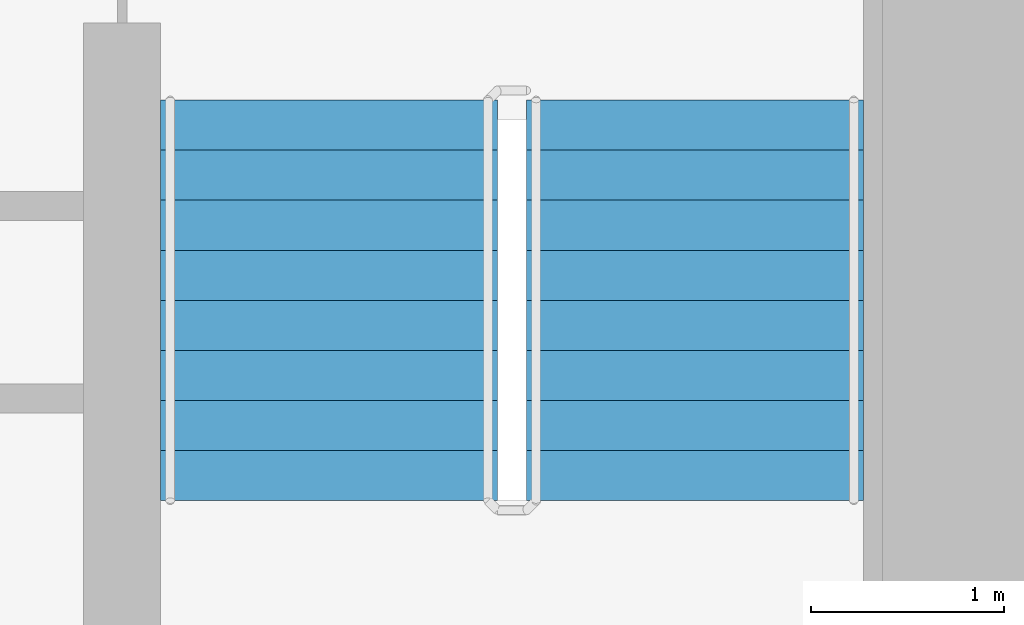
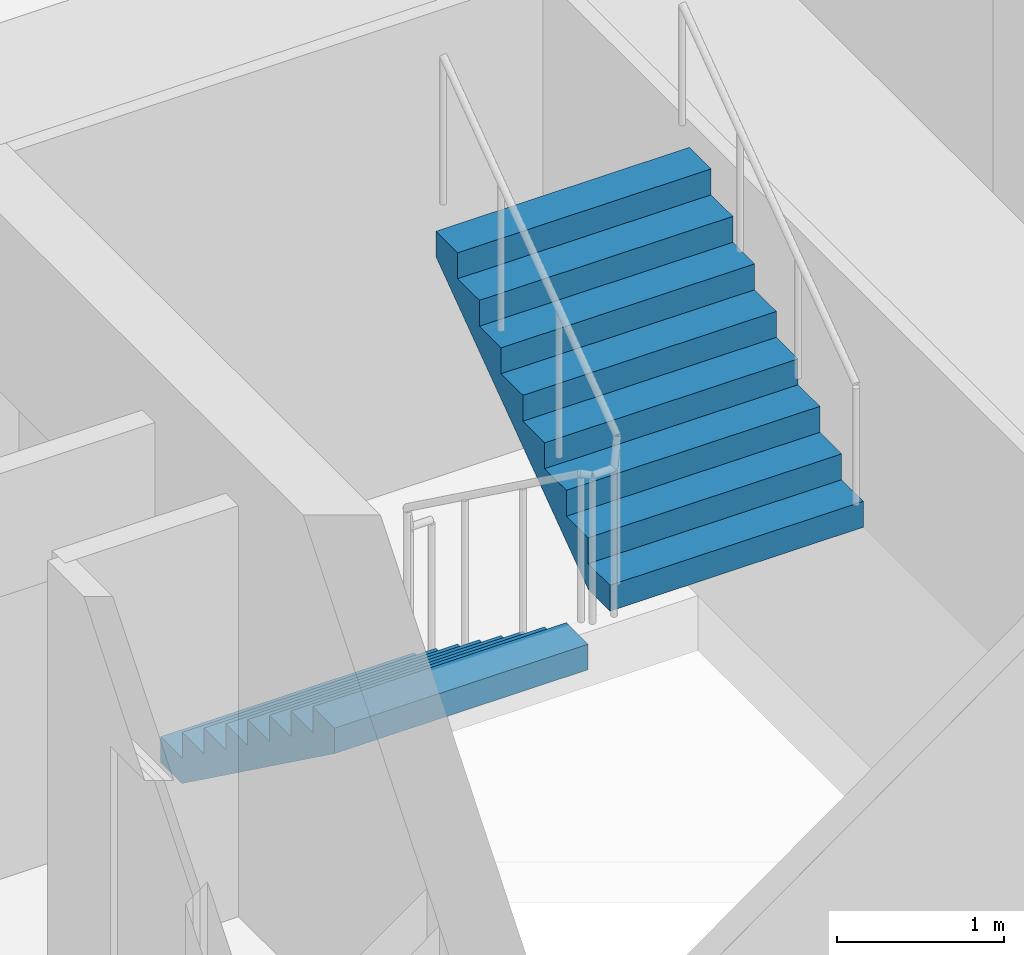
# One storey, part 34 of 40: 2 stair flights, 1 element without a shape of its own.
"""IFC4 building model written with IfcOpenShell, lengths in metres."""

from ifc_helpers import new_model, si_unit, direction, frame, origin, place, context, subcontext, project, spatial, faceted_brep, material, type_object, element, aggregate, save


model = new_model("IFC4")

# Units and contexts
model_context = context("Model", 3, precision=1e-05, world=origin(), true_north=direction((0.0, 1.0)))
body_context = subcontext(model_context, "Body", "Model", "MODEL_VIEW")
ifc_project = project(units=[si_unit("LENGTHUNIT", "METRE"), si_unit("AREAUNIT", "SQUARE_METRE"), si_unit("VOLUMEUNIT", "CUBIC_METRE"), si_unit("PLANEANGLEUNIT", "RADIAN"), si_unit("MASSUNIT", "GRAM", prefix="KILO")], contexts=[model_context])

# Site, building, storey
site_placement = place(None, origin())
site = spatial("IfcSite", under=ifc_project, at=site_placement, CompositionType="ELEMENT")
building_placement = place(site_placement, origin())
building = spatial("IfcBuilding", under=site, at=building_placement, Name="Ipe Terrace Towers", CompositionType="ELEMENT")
storey_placement = place(building_placement, frame((0.0, 0.0, 24.5)))
storey = spatial("IfcBuildingStorey", under=building, at=storey_placement, Name="L05", CompositionType="ELEMENT", Elevation=24.5)

# Stair, stair flights
ifc_material_1 = material(Name="Concrete C30/37", Category="concrete")
stair_type = type_object("IfcStairType", Name="Protected exit stair", PredefinedType="HALF_TURN_STAIR", material=ifc_material_1)
stair_placement = place(storey_placement, origin())
stair = element("IfcStair", 1, at=stair_placement, inside=storey, type_object=stair_type, Name="L05 Exit stair T2-C2", PredefinedType="HALF_TURN_STAIR")
ifc_material_2 = material(Name="Concrete C30/37", Category="concrete")
stair_flight_type = type_object("IfcStairFlightType", Name="Exit stair flight 1750", PredefinedType="STRAIGHT", material=ifc_material_2)
stair_flight_1_placement = place(storey_placement, frame((38.77490234375, -9.699951171875, 0.0), z_axis=(0.0, 0.0, 1.0), x_axis=(0.0, -1.0, 0.0)))
stair_flight_1 = element("IfcStairFlight", 2, at=stair_flight_1_placement, type_object=stair_flight_type, Name="T2-ST2 flight 1", NumberOfRisers=9, NumberOfTreads=8, PredefinedType="STRAIGHT", RiserHeight=0.188888889, TreadLength=0.26, context=body_context, shape_type="Brep", body=[
    faceted_brep([(0.255126953125, -0.875, 0.0), (2.080078125, -0.875, 1.325927734375), (2.080078125, -0.875, 1.51123046875), (1.820068359375, -0.875, 1.51123046875), (1.820068359375, -0.875, 1.322265625), (1.56005859375, -0.875, 1.322265625), (1.56005859375, -0.875, 1.13330078125), (1.300048828125, -0.875, 1.13330078125), (1.300048828125, -0.875, 0.9443359375), (1.0400390625, -0.875, 0.9443359375), (1.0400390625, -0.875, 0.755615234375), (0.780029296875, -0.875, 0.755615234375), (0.780029296875, -0.875, 0.566650390625), (0.52001953125, -0.875, 0.566650390625), (0.52001953125, -0.875, 0.377685546875), (0.260009765625, -0.875, 0.377685546875), (0.260009765625, -0.875, 0.18896484375), (0.0, -0.875, 0.18896484375), (0.0, -0.875, 0.0), (0.0, 0.875, 0.0), (0.0, 0.875, 0.18896484375), (0.260009765625, 0.875, 0.18896484375), (0.260009765625, 0.875, 0.377685546875), (0.52001953125, 0.875, 0.377685546875), (0.52001953125, 0.875, 0.566650390625), (0.780029296875, 0.875, 0.566650390625), (0.780029296875, 0.875, 0.755615234375), (1.0400390625, 0.875, 0.755615234375), (1.0400390625, 0.875, 0.9443359375), (1.300048828125, 0.875, 0.9443359375), (1.300048828125, 0.875, 1.13330078125), (1.56005859375, 0.875, 1.13330078125), (1.56005859375, 0.875, 1.322265625), (1.820068359375, 0.875, 1.322265625), (1.820068359375, 0.875, 1.51123046875), (2.080078125, 0.875, 1.51123046875), (2.080078125, 0.875, 1.325927734375), (0.255126953125, 0.875, 0.0), (0.0, -0.300048828125, 0.18896484375), (0.0, -0.1201171875, 0.18896484375), (0.0, -0.06005859375, 0.18896484375), (0.0, -0.030029296875, 0.18896484375), (0.0, -0.010009765625, 0.18896484375), (0.0, 0.0, 0.18896484375), (0.0, 0.010009765625, 0.18896484375), (0.0, 0.030029296875, 0.18896484375), (0.0, 0.06005859375, 0.18896484375), (0.0, 0.1201171875, 0.18896484375), (0.0, 0.300048828125, 0.18896484375), (0.0, 0.300048828125, 0.0), (0.0, 0.1201171875, 0.0), (0.0, 0.06005859375, 0.0), (0.0, 0.030029296875, 0.0), (0.0, 0.010009765625, 0.0), (0.0, 0.0, 0.0), (0.0, -0.010009765625, 0.0), (0.0, -0.030029296875, 0.0), (0.0, -0.06005859375, 0.0), (0.0, -0.1201171875, 0.0), (0.0, -0.300048828125, 0.0), (0.260009765625, -0.300048828125, 0.18896484375), (0.260009765625, -0.1201171875, 0.18896484375), (0.260009765625, -0.06005859375, 0.18896484375), (0.260009765625, -0.030029296875, 0.18896484375), (0.260009765625, -0.010009765625, 0.18896484375), (0.260009765625, 0.0, 0.18896484375), (0.260009765625, 0.010009765625, 0.18896484375), (0.260009765625, 0.030029296875, 0.18896484375), (0.260009765625, 0.06005859375, 0.18896484375), (0.260009765625, 0.1201171875, 0.18896484375), (0.260009765625, 0.300048828125, 0.18896484375), (0.260009765625, -0.300048828125, 0.377685546875), (0.260009765625, -0.1201171875, 0.377685546875), (0.260009765625, -0.06005859375, 0.377685546875), (0.260009765625, -0.030029296875, 0.377685546875), (0.260009765625, -0.010009765625, 0.377685546875), (0.260009765625, 0.0, 0.377685546875), (0.260009765625, 0.010009765625, 0.377685546875), (0.260009765625, 0.030029296875, 0.377685546875), (0.260009765625, 0.06005859375, 0.377685546875), (0.260009765625, 0.1201171875, 0.377685546875), (0.260009765625, 0.300048828125, 0.377685546875), (0.52001953125, -0.300048828125, 0.377685546875), (0.52001953125, -0.1201171875, 0.377685546875), (0.52001953125, -0.06005859375, 0.377685546875), (0.52001953125, -0.030029296875, 0.377685546875), (0.52001953125, -0.010009765625, 0.377685546875), (0.52001953125, 0.0, 0.377685546875), (0.52001953125, 0.010009765625, 0.377685546875), (0.52001953125, 0.030029296875, 0.377685546875), (0.52001953125, 0.06005859375, 0.377685546875), (0.52001953125, 0.1201171875, 0.377685546875), (0.52001953125, 0.300048828125, 0.377685546875), (0.52001953125, -0.300048828125, 0.566650390625), (0.52001953125, -0.1201171875, 0.566650390625), (0.52001953125, -0.06005859375, 0.566650390625), (0.52001953125, -0.030029296875, 0.566650390625), (0.52001953125, -0.010009765625, 0.566650390625), (0.52001953125, 0.0, 0.566650390625), (0.52001953125, 0.010009765625, 0.566650390625), (0.52001953125, 0.030029296875, 0.566650390625), (0.52001953125, 0.06005859375, 0.566650390625), (0.52001953125, 0.1201171875, 0.566650390625), (0.52001953125, 0.300048828125, 0.566650390625), (0.780029296875, -0.300048828125, 0.566650390625), (0.780029296875, -0.1201171875, 0.566650390625), (0.780029296875, -0.06005859375, 0.566650390625), (0.780029296875, -0.030029296875, 0.566650390625), (0.780029296875, -0.010009765625, 0.566650390625), (0.780029296875, 0.0, 0.566650390625), (0.780029296875, 0.010009765625, 0.566650390625), (0.780029296875, 0.030029296875, 0.566650390625), (0.780029296875, 0.06005859375, 0.566650390625), (0.780029296875, 0.1201171875, 0.566650390625), (0.780029296875, 0.300048828125, 0.566650390625), (0.780029296875, -0.300048828125, 0.755615234375), (0.780029296875, -0.1201171875, 0.755615234375), (0.780029296875, -0.06005859375, 0.755615234375), (0.780029296875, -0.030029296875, 0.755615234375), (0.780029296875, -0.010009765625, 0.755615234375), (0.780029296875, 0.0, 0.755615234375), (0.780029296875, 0.010009765625, 0.755615234375), (0.780029296875, 0.030029296875, 0.755615234375), (0.780029296875, 0.06005859375, 0.755615234375), (0.780029296875, 0.1201171875, 0.755615234375), (0.780029296875, 0.300048828125, 0.755615234375), (1.0400390625, -0.300048828125, 0.755615234375), (1.0400390625, -0.1201171875, 0.755615234375), (1.0400390625, -0.06005859375, 0.755615234375), (1.0400390625, -0.030029296875, 0.755615234375), (1.0400390625, -0.010009765625, 0.755615234375), (1.0400390625, 0.0, 0.755615234375), (1.0400390625, 0.010009765625, 0.755615234375), (1.0400390625, 0.030029296875, 0.755615234375), (1.0400390625, 0.06005859375, 0.755615234375), (1.0400390625, 0.1201171875, 0.755615234375), (1.0400390625, 0.300048828125, 0.755615234375), (1.0400390625, -0.300048828125, 0.9443359375), (1.0400390625, -0.1201171875, 0.9443359375), (1.0400390625, -0.06005859375, 0.9443359375), (1.0400390625, -0.030029296875, 0.9443359375), (1.0400390625, -0.010009765625, 0.9443359375), (1.0400390625, 0.0, 0.9443359375), (1.0400390625, 0.010009765625, 0.9443359375), (1.0400390625, 0.030029296875, 0.9443359375), (1.0400390625, 0.06005859375, 0.9443359375), (1.0400390625, 0.1201171875, 0.9443359375), (1.0400390625, 0.300048828125, 0.9443359375), (1.300048828125, -0.300048828125, 0.9443359375), (1.300048828125, -0.1201171875, 0.9443359375), (1.300048828125, -0.06005859375, 0.9443359375), (1.300048828125, -0.030029296875, 0.9443359375), (1.300048828125, -0.010009765625, 0.9443359375), (1.300048828125, 0.0, 0.9443359375), (1.300048828125, 0.010009765625, 0.9443359375), (1.300048828125, 0.030029296875, 0.9443359375), (1.300048828125, 0.06005859375, 0.9443359375), (1.300048828125, 0.1201171875, 0.9443359375), (1.300048828125, 0.300048828125, 0.9443359375), (1.300048828125, -0.300048828125, 1.13330078125), (1.300048828125, -0.1201171875, 1.13330078125), (1.300048828125, -0.06005859375, 1.13330078125), (1.300048828125, -0.030029296875, 1.13330078125), (1.300048828125, -0.010009765625, 1.13330078125), (1.300048828125, 0.0, 1.13330078125), (1.300048828125, 0.010009765625, 1.13330078125), (1.300048828125, 0.030029296875, 1.13330078125), (1.300048828125, 0.06005859375, 1.13330078125), (1.300048828125, 0.1201171875, 1.13330078125), (1.300048828125, 0.300048828125, 1.13330078125), (1.56005859375, -0.300048828125, 1.13330078125), (1.56005859375, -0.1201171875, 1.13330078125), (1.56005859375, -0.06005859375, 1.13330078125), (1.56005859375, -0.030029296875, 1.13330078125), (1.56005859375, -0.010009765625, 1.13330078125), (1.56005859375, 0.0, 1.13330078125), (1.56005859375, 0.010009765625, 1.13330078125), (1.56005859375, 0.030029296875, 1.13330078125), (1.56005859375, 0.06005859375, 1.13330078125), (1.56005859375, 0.1201171875, 1.13330078125), (1.56005859375, 0.300048828125, 1.13330078125), (1.56005859375, -0.300048828125, 1.322265625), (1.56005859375, -0.1201171875, 1.322265625), (1.56005859375, -0.06005859375, 1.322265625), (1.56005859375, -0.030029296875, 1.322265625), (1.56005859375, -0.010009765625, 1.322265625), (1.56005859375, 0.0, 1.322265625), (1.56005859375, 0.010009765625, 1.322265625), (1.56005859375, 0.030029296875, 1.322265625), (1.56005859375, 0.06005859375, 1.322265625), (1.56005859375, 0.1201171875, 1.322265625), (1.56005859375, 0.300048828125, 1.322265625), (1.820068359375, -0.300048828125, 1.322265625), (1.820068359375, -0.1201171875, 1.322265625), (1.820068359375, -0.06005859375, 1.322265625), (1.820068359375, -0.030029296875, 1.322265625), (1.820068359375, -0.010009765625, 1.322265625), (1.820068359375, 0.0, 1.322265625), (1.820068359375, 0.010009765625, 1.322265625), (1.820068359375, 0.030029296875, 1.322265625), (1.820068359375, 0.06005859375, 1.322265625), (1.820068359375, 0.1201171875, 1.322265625), (1.820068359375, 0.300048828125, 1.322265625), (1.820068359375, -0.300048828125, 1.51123046875), (1.820068359375, -0.1201171875, 1.51123046875), (1.820068359375, -0.06005859375, 1.51123046875), (1.820068359375, -0.030029296875, 1.51123046875), (1.820068359375, -0.010009765625, 1.51123046875), (1.820068359375, 0.0, 1.51123046875), (1.820068359375, 0.010009765625, 1.51123046875), (1.820068359375, 0.030029296875, 1.51123046875), (1.820068359375, 0.06005859375, 1.51123046875), (1.820068359375, 0.1201171875, 1.51123046875), (1.820068359375, 0.300048828125, 1.51123046875), (2.080078125, -0.300048828125, 1.51123046875), (2.080078125, -0.1201171875, 1.51123046875), (2.080078125, -0.06005859375, 1.51123046875), (2.080078125, -0.030029296875, 1.51123046875), (2.080078125, -0.010009765625, 1.51123046875), (2.080078125, 0.0, 1.51123046875), (2.080078125, 0.010009765625, 1.51123046875), (2.080078125, 0.030029296875, 1.51123046875), (2.080078125, 0.06005859375, 1.51123046875), (2.080078125, 0.1201171875, 1.51123046875), (2.080078125, 0.300048828125, 1.51123046875), (2.080078125, -0.300048828125, 1.325927734375), (2.080078125, -0.1201171875, 1.325927734375), (2.080078125, -0.06005859375, 1.325927734375), (2.080078125, -0.030029296875, 1.325927734375), (2.080078125, -0.010009765625, 1.325927734375), (2.080078125, 0.0, 1.325927734375), (2.080078125, 0.010009765625, 1.325927734375), (2.080078125, 0.030029296875, 1.325927734375), (2.080078125, 0.06005859375, 1.325927734375), (2.080078125, 0.1201171875, 1.325927734375), (2.080078125, 0.300048828125, 1.325927734375), (0.255126953125, -0.300048828125, 0.0), (0.255126953125, -0.1201171875, 0.0), (0.255126953125, -0.06005859375, 0.0), (0.255126953125, -0.030029296875, 0.0), (0.255126953125, -0.010009765625, 0.0), (0.255126953125, 0.0, 0.0), (0.255126953125, 0.010009765625, 0.0), (0.255126953125, 0.030029296875, 0.0), (0.255126953125, 0.06005859375, 0.0), (0.255126953125, 0.1201171875, 0.0), (0.255126953125, 0.300048828125, 0.0)], [[[0, 1, 2, 3, 4, 5, 6, 7, 8, 9, 10, 11, 12, 13, 14, 15, 16, 17, 18]], [[19, 20, 21, 22, 23, 24, 25, 26, 27, 28, 29, 30, 31, 32, 33, 34, 35, 36, 37]], [[17, 38, 39, 40, 41, 42, 43, 44, 45, 46, 47, 48, 20, 19, 49, 50, 51, 52, 53, 54, 55, 56, 57, 58, 59, 18]], [[16, 60, 61, 62, 63, 64, 65, 66, 67, 68, 69, 70, 21, 20, 48, 47, 46, 45, 44, 43, 42, 41, 40, 39, 38, 17]], [[15, 71, 72, 73, 74, 75, 76, 77, 78, 79, 80, 81, 22, 21, 70, 69, 68, 67, 66, 65, 64, 63, 62, 61, 60, 16]], [[14, 82, 83, 84, 85, 86, 87, 88, 89, 90, 91, 92, 23, 22, 81, 80, 79, 78, 77, 76, 75, 74, 73, 72, 71, 15]], [[13, 93, 94, 95, 96, 97, 98, 99, 100, 101, 102, 103, 24, 23, 92, 91, 90, 89, 88, 87, 86, 85, 84, 83, 82, 14]], [[12, 104, 105, 106, 107, 108, 109, 110, 111, 112, 113, 114, 25, 24, 103, 102, 101, 100, 99, 98, 97, 96, 95, 94, 93, 13]], [[11, 115, 116, 117, 118, 119, 120, 121, 122, 123, 124, 125, 26, 25, 114, 113, 112, 111, 110, 109, 108, 107, 106, 105, 104, 12]], [[10, 126, 127, 128, 129, 130, 131, 132, 133, 134, 135, 136, 27, 26, 125, 124, 123, 122, 121, 120, 119, 118, 117, 116, 115, 11]], [[9, 137, 138, 139, 140, 141, 142, 143, 144, 145, 146, 147, 28, 27, 136, 135, 134, 133, 132, 131, 130, 129, 128, 127, 126, 10]], [[8, 148, 149, 150, 151, 152, 153, 154, 155, 156, 157, 158, 29, 28, 147, 146, 145, 144, 143, 142, 141, 140, 139, 138, 137, 9]], [[7, 159, 160, 161, 162, 163, 164, 165, 166, 167, 168, 169, 30, 29, 158, 157, 156, 155, 154, 153, 152, 151, 150, 149, 148, 8]], [[6, 170, 171, 172, 173, 174, 175, 176, 177, 178, 179, 180, 31, 30, 169, 168, 167, 166, 165, 164, 163, 162, 161, 160, 159, 7]], [[5, 181, 182, 183, 184, 185, 186, 187, 188, 189, 190, 191, 32, 31, 180, 179, 178, 177, 176, 175, 174, 173, 172, 171, 170, 6]], [[4, 192, 193, 194, 195, 196, 197, 198, 199, 200, 201, 202, 33, 32, 191, 190, 189, 188, 187, 186, 185, 184, 183, 182, 181, 5]], [[3, 203, 204, 205, 206, 207, 208, 209, 210, 211, 212, 213, 34, 33, 202, 201, 200, 199, 198, 197, 196, 195, 194, 193, 192, 4]], [[2, 214, 215, 216, 217, 218, 219, 220, 221, 222, 223, 224, 35, 34, 213, 212, 211, 210, 209, 208, 207, 206, 205, 204, 203, 3]], [[1, 225, 226, 227, 228, 229, 230, 231, 232, 233, 234, 235, 36, 35, 224, 223, 222, 221, 220, 219, 218, 217, 216, 215, 214, 2]], [[0, 236, 237, 238, 239, 240, 241, 242, 243, 244, 245, 246, 37, 36, 235, 234, 233, 232, 231, 230, 229, 228, 227, 226, 225, 1]], [[18, 59, 58, 57, 56, 55, 54, 53, 52, 51, 50, 49, 19, 37, 246, 245, 244, 243, 242, 241, 240, 239, 238, 237, 236, 0]]]),
])
stair_flight_2_placement = place(storey_placement, frame((40.675048828125, -11.780029296875, 1.699951171875), z_axis=(0.0, 0.0, 1.0), x_axis=(0.0, 1.0, 0.0)))
stair_flight_2 = element("IfcStairFlight", 3, at=stair_flight_2_placement, type_object=stair_flight_type, Name="T2-ST2 flight 2", NumberOfRisers=9, NumberOfTreads=8, PredefinedType="STRAIGHT", RiserHeight=0.188888889, TreadLength=0.26, context=body_context, shape_type="Brep", body=[
    faceted_brep([(0.255126953125, -0.875, 0.0), (2.080078125, -0.875, 1.325927734375), (2.080078125, -0.875, 1.51123046875), (1.820068359375, -0.875, 1.51123046875), (1.820068359375, -0.875, 1.322265625), (1.56005859375, -0.875, 1.322265625), (1.56005859375, -0.875, 1.13330078125), (1.300048828125, -0.875, 1.13330078125), (1.300048828125, -0.875, 0.9443359375), (1.0400390625, -0.875, 0.9443359375), (1.0400390625, -0.875, 0.755615234375), (0.780029296875, -0.875, 0.755615234375), (0.780029296875, -0.875, 0.566650390625), (0.52001953125, -0.875, 0.566650390625), (0.52001953125, -0.875, 0.377685546875), (0.260009765625, -0.875, 0.377685546875), (0.260009765625, -0.875, 0.18896484375), (0.0, -0.875, 0.18896484375), (0.0, -0.875, 0.0), (0.0, 0.875, 0.0), (0.0, 0.875, 0.18896484375), (0.260009765625, 0.875, 0.18896484375), (0.260009765625, 0.875, 0.377685546875), (0.52001953125, 0.875, 0.377685546875), (0.52001953125, 0.875, 0.566650390625), (0.780029296875, 0.875, 0.566650390625), (0.780029296875, 0.875, 0.755615234375), (1.0400390625, 0.875, 0.755615234375), (1.0400390625, 0.875, 0.9443359375), (1.300048828125, 0.875, 0.9443359375), (1.300048828125, 0.875, 1.13330078125), (1.56005859375, 0.875, 1.13330078125), (1.56005859375, 0.875, 1.322265625), (1.820068359375, 0.875, 1.322265625), (1.820068359375, 0.875, 1.51123046875), (2.080078125, 0.875, 1.51123046875), (2.080078125, 0.875, 1.325927734375), (0.255126953125, 0.875, 0.0), (0.0, -0.300048828125, 0.18896484375), (0.0, -0.1201171875, 0.18896484375), (0.0, -0.06005859375, 0.18896484375), (0.0, -0.030029296875, 0.18896484375), (0.0, -0.010009765625, 0.18896484375), (0.0, 0.0, 0.18896484375), (0.0, 0.010009765625, 0.18896484375), (0.0, 0.030029296875, 0.18896484375), (0.0, 0.06005859375, 0.18896484375), (0.0, 0.1201171875, 0.18896484375), (0.0, 0.300048828125, 0.18896484375), (0.0, 0.300048828125, 0.0), (0.0, 0.1201171875, 0.0), (0.0, 0.06005859375, 0.0), (0.0, 0.030029296875, 0.0), (0.0, 0.010009765625, 0.0), (0.0, 0.0, 0.0), (0.0, -0.010009765625, 0.0), (0.0, -0.030029296875, 0.0), (0.0, -0.06005859375, 0.0), (0.0, -0.1201171875, 0.0), (0.0, -0.300048828125, 0.0), (0.260009765625, -0.300048828125, 0.18896484375), (0.260009765625, -0.1201171875, 0.18896484375), (0.260009765625, -0.06005859375, 0.18896484375), (0.260009765625, -0.030029296875, 0.18896484375), (0.260009765625, -0.010009765625, 0.18896484375), (0.260009765625, 0.0, 0.18896484375), (0.260009765625, 0.010009765625, 0.18896484375), (0.260009765625, 0.030029296875, 0.18896484375), (0.260009765625, 0.06005859375, 0.18896484375), (0.260009765625, 0.1201171875, 0.18896484375), (0.260009765625, 0.300048828125, 0.18896484375), (0.260009765625, -0.300048828125, 0.377685546875), (0.260009765625, -0.1201171875, 0.377685546875), (0.260009765625, -0.06005859375, 0.377685546875), (0.260009765625, -0.030029296875, 0.377685546875), (0.260009765625, -0.010009765625, 0.377685546875), (0.260009765625, 0.0, 0.377685546875), (0.260009765625, 0.010009765625, 0.377685546875), (0.260009765625, 0.030029296875, 0.377685546875), (0.260009765625, 0.06005859375, 0.377685546875), (0.260009765625, 0.1201171875, 0.377685546875), (0.260009765625, 0.300048828125, 0.377685546875), (0.52001953125, -0.300048828125, 0.377685546875), (0.52001953125, -0.1201171875, 0.377685546875), (0.52001953125, -0.06005859375, 0.377685546875), (0.52001953125, -0.030029296875, 0.377685546875), (0.52001953125, -0.010009765625, 0.377685546875), (0.52001953125, 0.0, 0.377685546875), (0.52001953125, 0.010009765625, 0.377685546875), (0.52001953125, 0.030029296875, 0.377685546875), (0.52001953125, 0.06005859375, 0.377685546875), (0.52001953125, 0.1201171875, 0.377685546875), (0.52001953125, 0.300048828125, 0.377685546875), (0.52001953125, -0.300048828125, 0.566650390625), (0.52001953125, -0.1201171875, 0.566650390625), (0.52001953125, -0.06005859375, 0.566650390625), (0.52001953125, -0.030029296875, 0.566650390625), (0.52001953125, -0.010009765625, 0.566650390625), (0.52001953125, 0.0, 0.566650390625), (0.52001953125, 0.010009765625, 0.566650390625), (0.52001953125, 0.030029296875, 0.566650390625), (0.52001953125, 0.06005859375, 0.566650390625), (0.52001953125, 0.1201171875, 0.566650390625), (0.52001953125, 0.300048828125, 0.566650390625), (0.780029296875, -0.300048828125, 0.566650390625), (0.780029296875, -0.1201171875, 0.566650390625), (0.780029296875, -0.06005859375, 0.566650390625), (0.780029296875, -0.030029296875, 0.566650390625), (0.780029296875, -0.010009765625, 0.566650390625), (0.780029296875, 0.0, 0.566650390625), (0.780029296875, 0.010009765625, 0.566650390625), (0.780029296875, 0.030029296875, 0.566650390625), (0.780029296875, 0.06005859375, 0.566650390625), (0.780029296875, 0.1201171875, 0.566650390625), (0.780029296875, 0.300048828125, 0.566650390625), (0.780029296875, -0.300048828125, 0.755615234375), (0.780029296875, -0.1201171875, 0.755615234375), (0.780029296875, -0.06005859375, 0.755615234375), (0.780029296875, -0.030029296875, 0.755615234375), (0.780029296875, -0.010009765625, 0.755615234375), (0.780029296875, 0.0, 0.755615234375), (0.780029296875, 0.010009765625, 0.755615234375), (0.780029296875, 0.030029296875, 0.755615234375), (0.780029296875, 0.06005859375, 0.755615234375), (0.780029296875, 0.1201171875, 0.755615234375), (0.780029296875, 0.300048828125, 0.755615234375), (1.0400390625, -0.300048828125, 0.755615234375), (1.0400390625, -0.1201171875, 0.755615234375), (1.0400390625, -0.06005859375, 0.755615234375), (1.0400390625, -0.030029296875, 0.755615234375), (1.0400390625, -0.010009765625, 0.755615234375), (1.0400390625, 0.0, 0.755615234375), (1.0400390625, 0.010009765625, 0.755615234375), (1.0400390625, 0.030029296875, 0.755615234375), (1.0400390625, 0.06005859375, 0.755615234375), (1.0400390625, 0.1201171875, 0.755615234375), (1.0400390625, 0.300048828125, 0.755615234375), (1.0400390625, -0.300048828125, 0.9443359375), (1.0400390625, -0.1201171875, 0.9443359375), (1.0400390625, -0.06005859375, 0.9443359375), (1.0400390625, -0.030029296875, 0.9443359375), (1.0400390625, -0.010009765625, 0.9443359375), (1.0400390625, 0.0, 0.9443359375), (1.0400390625, 0.010009765625, 0.9443359375), (1.0400390625, 0.030029296875, 0.9443359375), (1.0400390625, 0.06005859375, 0.9443359375), (1.0400390625, 0.1201171875, 0.9443359375), (1.0400390625, 0.300048828125, 0.9443359375), (1.300048828125, -0.300048828125, 0.9443359375), (1.300048828125, -0.1201171875, 0.9443359375), (1.300048828125, -0.06005859375, 0.9443359375), (1.300048828125, -0.030029296875, 0.9443359375), (1.300048828125, -0.010009765625, 0.9443359375), (1.300048828125, 0.0, 0.9443359375), (1.300048828125, 0.010009765625, 0.9443359375), (1.300048828125, 0.030029296875, 0.9443359375), (1.300048828125, 0.06005859375, 0.9443359375), (1.300048828125, 0.1201171875, 0.9443359375), (1.300048828125, 0.300048828125, 0.9443359375), (1.300048828125, -0.300048828125, 1.13330078125), (1.300048828125, -0.1201171875, 1.13330078125), (1.300048828125, -0.06005859375, 1.13330078125), (1.300048828125, -0.030029296875, 1.13330078125), (1.300048828125, -0.010009765625, 1.13330078125), (1.300048828125, 0.0, 1.13330078125), (1.300048828125, 0.010009765625, 1.13330078125), (1.300048828125, 0.030029296875, 1.13330078125), (1.300048828125, 0.06005859375, 1.13330078125), (1.300048828125, 0.1201171875, 1.13330078125), (1.300048828125, 0.300048828125, 1.13330078125), (1.56005859375, -0.300048828125, 1.13330078125), (1.56005859375, -0.1201171875, 1.13330078125), (1.56005859375, -0.06005859375, 1.13330078125), (1.56005859375, -0.030029296875, 1.13330078125), (1.56005859375, -0.010009765625, 1.13330078125), (1.56005859375, 0.0, 1.13330078125), (1.56005859375, 0.010009765625, 1.13330078125), (1.56005859375, 0.030029296875, 1.13330078125), (1.56005859375, 0.06005859375, 1.13330078125), (1.56005859375, 0.1201171875, 1.13330078125), (1.56005859375, 0.300048828125, 1.13330078125), (1.56005859375, -0.300048828125, 1.322265625), (1.56005859375, -0.1201171875, 1.322265625), (1.56005859375, -0.06005859375, 1.322265625), (1.56005859375, -0.030029296875, 1.322265625), (1.56005859375, -0.010009765625, 1.322265625), (1.56005859375, 0.0, 1.322265625), (1.56005859375, 0.010009765625, 1.322265625), (1.56005859375, 0.030029296875, 1.322265625), (1.56005859375, 0.06005859375, 1.322265625), (1.56005859375, 0.1201171875, 1.322265625), (1.56005859375, 0.300048828125, 1.322265625), (1.820068359375, -0.300048828125, 1.322265625), (1.820068359375, -0.1201171875, 1.322265625), (1.820068359375, -0.06005859375, 1.322265625), (1.820068359375, -0.030029296875, 1.322265625), (1.820068359375, -0.010009765625, 1.322265625), (1.820068359375, 0.0, 1.322265625), (1.820068359375, 0.010009765625, 1.322265625), (1.820068359375, 0.030029296875, 1.322265625), (1.820068359375, 0.06005859375, 1.322265625), (1.820068359375, 0.1201171875, 1.322265625), (1.820068359375, 0.300048828125, 1.322265625), (1.820068359375, -0.300048828125, 1.51123046875), (1.820068359375, -0.1201171875, 1.51123046875), (1.820068359375, -0.06005859375, 1.51123046875), (1.820068359375, -0.030029296875, 1.51123046875), (1.820068359375, -0.010009765625, 1.51123046875), (1.820068359375, 0.0, 1.51123046875), (1.820068359375, 0.010009765625, 1.51123046875), (1.820068359375, 0.030029296875, 1.51123046875), (1.820068359375, 0.06005859375, 1.51123046875), (1.820068359375, 0.1201171875, 1.51123046875), (1.820068359375, 0.300048828125, 1.51123046875), (2.080078125, -0.300048828125, 1.51123046875), (2.080078125, -0.1201171875, 1.51123046875), (2.080078125, -0.06005859375, 1.51123046875), (2.080078125, -0.030029296875, 1.51123046875), (2.080078125, -0.010009765625, 1.51123046875), (2.080078125, 0.0, 1.51123046875), (2.080078125, 0.010009765625, 1.51123046875), (2.080078125, 0.030029296875, 1.51123046875), (2.080078125, 0.06005859375, 1.51123046875), (2.080078125, 0.1201171875, 1.51123046875), (2.080078125, 0.300048828125, 1.51123046875), (2.080078125, -0.300048828125, 1.325927734375), (2.080078125, -0.1201171875, 1.325927734375), (2.080078125, -0.06005859375, 1.325927734375), (2.080078125, -0.030029296875, 1.325927734375), (2.080078125, -0.010009765625, 1.325927734375), (2.080078125, 0.0, 1.325927734375), (2.080078125, 0.010009765625, 1.325927734375), (2.080078125, 0.030029296875, 1.325927734375), (2.080078125, 0.06005859375, 1.325927734375), (2.080078125, 0.1201171875, 1.325927734375), (2.080078125, 0.300048828125, 1.325927734375), (0.255126953125, -0.300048828125, 0.0), (0.255126953125, -0.1201171875, 0.0), (0.255126953125, -0.06005859375, 0.0), (0.255126953125, -0.030029296875, 0.0), (0.255126953125, -0.010009765625, 0.0), (0.255126953125, 0.0, 0.0), (0.255126953125, 0.010009765625, 0.0), (0.255126953125, 0.030029296875, 0.0), (0.255126953125, 0.06005859375, 0.0), (0.255126953125, 0.1201171875, 0.0), (0.255126953125, 0.300048828125, 0.0)], [[[0, 1, 2, 3, 4, 5, 6, 7, 8, 9, 10, 11, 12, 13, 14, 15, 16, 17, 18]], [[19, 20, 21, 22, 23, 24, 25, 26, 27, 28, 29, 30, 31, 32, 33, 34, 35, 36, 37]], [[17, 38, 39, 40, 41, 42, 43, 44, 45, 46, 47, 48, 20, 19, 49, 50, 51, 52, 53, 54, 55, 56, 57, 58, 59, 18]], [[16, 60, 61, 62, 63, 64, 65, 66, 67, 68, 69, 70, 21, 20, 48, 47, 46, 45, 44, 43, 42, 41, 40, 39, 38, 17]], [[15, 71, 72, 73, 74, 75, 76, 77, 78, 79, 80, 81, 22, 21, 70, 69, 68, 67, 66, 65, 64, 63, 62, 61, 60, 16]], [[14, 82, 83, 84, 85, 86, 87, 88, 89, 90, 91, 92, 23, 22, 81, 80, 79, 78, 77, 76, 75, 74, 73, 72, 71, 15]], [[13, 93, 94, 95, 96, 97, 98, 99, 100, 101, 102, 103, 24, 23, 92, 91, 90, 89, 88, 87, 86, 85, 84, 83, 82, 14]], [[12, 104, 105, 106, 107, 108, 109, 110, 111, 112, 113, 114, 25, 24, 103, 102, 101, 100, 99, 98, 97, 96, 95, 94, 93, 13]], [[11, 115, 116, 117, 118, 119, 120, 121, 122, 123, 124, 125, 26, 25, 114, 113, 112, 111, 110, 109, 108, 107, 106, 105, 104, 12]], [[10, 126, 127, 128, 129, 130, 131, 132, 133, 134, 135, 136, 27, 26, 125, 124, 123, 122, 121, 120, 119, 118, 117, 116, 115, 11]], [[9, 137, 138, 139, 140, 141, 142, 143, 144, 145, 146, 147, 28, 27, 136, 135, 134, 133, 132, 131, 130, 129, 128, 127, 126, 10]], [[8, 148, 149, 150, 151, 152, 153, 154, 155, 156, 157, 158, 29, 28, 147, 146, 145, 144, 143, 142, 141, 140, 139, 138, 137, 9]], [[7, 159, 160, 161, 162, 163, 164, 165, 166, 167, 168, 169, 30, 29, 158, 157, 156, 155, 154, 153, 152, 151, 150, 149, 148, 8]], [[6, 170, 171, 172, 173, 174, 175, 176, 177, 178, 179, 180, 31, 30, 169, 168, 167, 166, 165, 164, 163, 162, 161, 160, 159, 7]], [[5, 181, 182, 183, 184, 185, 186, 187, 188, 189, 190, 191, 32, 31, 180, 179, 178, 177, 176, 175, 174, 173, 172, 171, 170, 6]], [[4, 192, 193, 194, 195, 196, 197, 198, 199, 200, 201, 202, 33, 32, 191, 190, 189, 188, 187, 186, 185, 184, 183, 182, 181, 5]], [[3, 203, 204, 205, 206, 207, 208, 209, 210, 211, 212, 213, 34, 33, 202, 201, 200, 199, 198, 197, 196, 195, 194, 193, 192, 4]], [[2, 214, 215, 216, 217, 218, 219, 220, 221, 222, 223, 224, 35, 34, 213, 212, 211, 210, 209, 208, 207, 206, 205, 204, 203, 3]], [[1, 225, 226, 227, 228, 229, 230, 231, 232, 233, 234, 235, 36, 35, 224, 223, 222, 221, 220, 219, 218, 217, 216, 215, 214, 2]], [[0, 236, 237, 238, 239, 240, 241, 242, 243, 244, 245, 246, 37, 36, 235, 234, 233, 232, 231, 230, 229, 228, 227, 226, 225, 1]], [[18, 59, 58, 57, 56, 55, 54, 53, 52, 51, 50, 49, 19, 37, 246, 245, 244, 243, 242, 241, 240, 239, 238, 237, 236, 0]]]),
])
aggregate(stair, [stair_flight_1, stair_flight_2])

save(model, "model.ifc")
